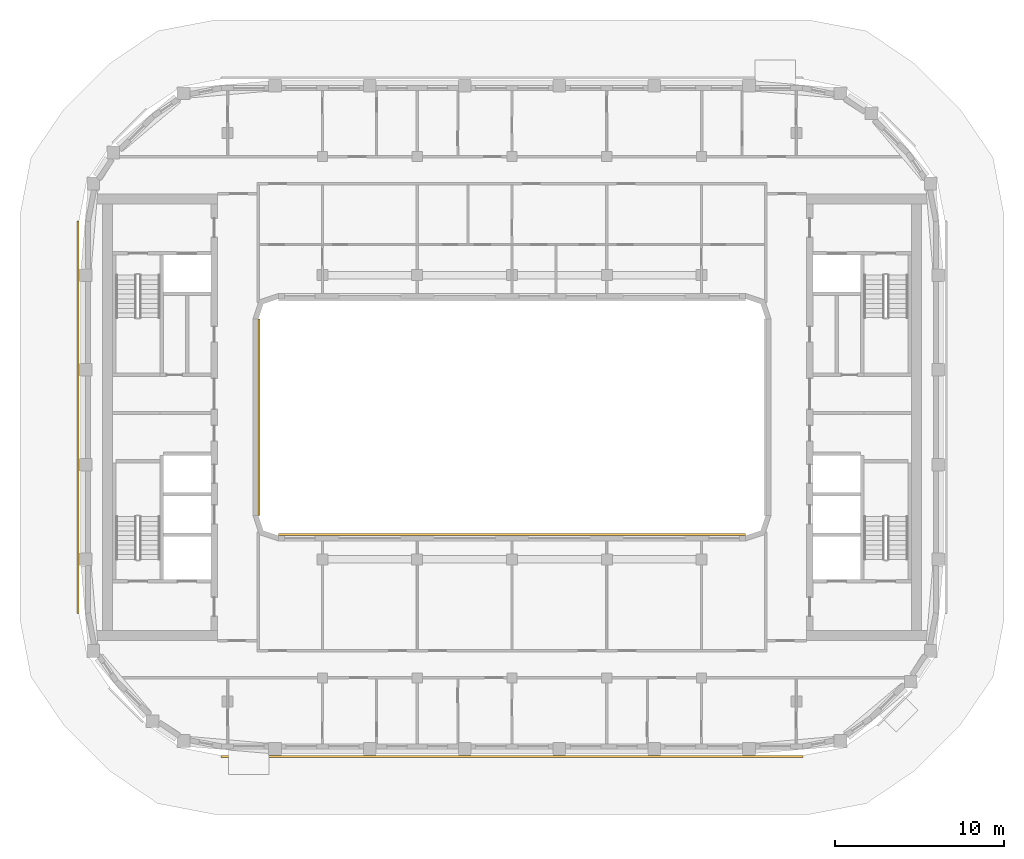
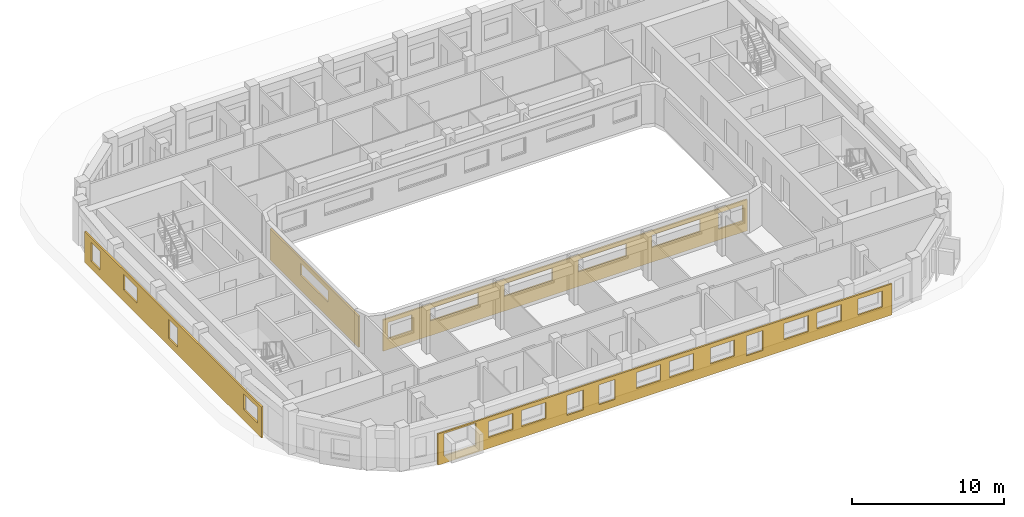
# One storey, part 10 of 14: 4 coverings.
"""IFC4 building model written with IfcOpenShell, lengths in metres."""

from ifc_helpers import new_model, si_unit, direction, frame, origin, place, context, subcontext, project, spatial, polyline, outline, extrude, material, layer, layer_set, type_object, element, save


model = new_model("IFC4")

# Units and contexts
model_context = context("Model", 3, precision=1e-05, world=origin(), true_north=direction((0.0, 1.0)))
body_context = subcontext(model_context, "Body", "Model", "MODEL_VIEW")
ifc_project = project(units=[si_unit("LENGTHUNIT", "METRE"), si_unit("AREAUNIT", "SQUARE_METRE"), si_unit("VOLUMEUNIT", "CUBIC_METRE"), si_unit("PLANEANGLEUNIT", "RADIAN"), si_unit("MASSUNIT", "GRAM", prefix="KILO")], contexts=[model_context])

# Site, building, storey
site_placement = place(None, origin())
site = spatial("IfcSite", under=ifc_project, at=site_placement, CompositionType="ELEMENT")
building_placement = place(site_placement, origin())
building = spatial("IfcBuilding", under=site, at=building_placement, Name="Kiln Ring Residences", CompositionType="ELEMENT")
storey_placement = place(building_placement, frame((0.0, 0.0, 280.199951171875)))
storey = spatial("IfcBuildingStorey", under=building, at=storey_placement, Name="L73", CompositionType="ELEMENT", Elevation=280.199951171875)

# Coverings
ifc_material = material(Name="Brick masonry, dark clay brick", Category="masonry")
ifc_layer = layer(ifc_material, 0.1201171875)
ifc_layer_set = layer_set([ifc_layer], Name="RAINSCREEN PANEL 120")
covering_type = type_object("IfcCoveringType", Name="RAINSCREEN PANEL 120", PredefinedType="CLADDING", material=ifc_layer_set)
covering_1_placement = place(storey_placement, frame((-17.199951171875, -20.034912109375, 0.0), z_axis=(0.0, 0.0, 1.0), x_axis=(1.0, 0.0, 0.0)))
element("IfcCovering", 1, at=covering_1_placement, inside=storey, type_object=covering_type, Name="RAINSCREEN L73", PredefinedType="CLADDING", context=body_context, shape_type="SweptSolid", body=[
    extrude(outline(polyline([(0.0, 0.0), (34.39990234375, 0.0), (34.39990234375, 2.5), (0.0, 2.5), (0.0, 0.0)]), holes=[polyline([(9.780029296875, 0.580078125), (11.02001953125, 0.580078125), (11.02001953125, 2.170166015625), (9.780029296875, 2.170166015625), (9.780029296875, 0.580078125)]), polyline([(12.179931640625, 2.170166015625), (12.179931640625, 0.580078125), (13.419921875, 0.580078125), (13.419921875, 2.170166015625), (12.179931640625, 2.170166015625)]), polyline([(0.429931640625, 2.3701171875), (0.429931640625, 0.580078125), (2.8701171875, 0.580078125), (2.8701171875, 2.3701171875), (0.429931640625, 2.3701171875)]), polyline([(3.830078125, 0.880126953125), (5.669921875, 0.880126953125), (5.669921875, 2.170166015625), (3.830078125, 2.170166015625), (3.830078125, 0.880126953125)]), polyline([(6.330078125, 2.170166015625), (6.330078125, 0.880126953125), (8.169921875, 0.880126953125), (8.169921875, 2.170166015625), (6.330078125, 2.170166015625)]), polyline([(15.030029296875, 2.170166015625), (15.030029296875, 0.880126953125), (16.8701171875, 0.880126953125), (16.8701171875, 2.170166015625), (15.030029296875, 2.170166015625)]), polyline([(23.3798828125, 0.580078125), (24.6201171875, 0.580078125), (24.6201171875, 2.170166015625), (23.3798828125, 2.170166015625), (23.3798828125, 0.580078125)]), polyline([(17.530029296875, 2.170166015625), (17.530029296875, 0.880126953125), (19.3701171875, 0.880126953125), (19.3701171875, 2.170166015625), (17.530029296875, 2.170166015625)]), polyline([(20.6298828125, 2.170166015625), (20.6298828125, 0.880126953125), (22.469970703125, 0.880126953125), (22.469970703125, 2.170166015625), (20.6298828125, 2.170166015625)]), polyline([(26.22998046875, 0.880126953125), (28.070068359375, 0.880126953125), (28.070068359375, 2.170166015625), (26.22998046875, 2.170166015625), (26.22998046875, 0.880126953125)]), polyline([(28.72998046875, 2.170166015625), (28.72998046875, 0.880126953125), (30.570068359375, 0.880126953125), (30.570068359375, 2.170166015625), (28.72998046875, 2.170166015625)]), polyline([(31.830078125, 2.170166015625), (31.830078125, 0.880126953125), (33.669921875, 0.880126953125), (33.669921875, 2.170166015625), (31.830078125, 2.170166015625)])]), frame((0.0, 0.06005859375, 0.0), z_axis=(0.0, -1.0, 0.0), x_axis=(1.0, 0.0, 0.0)), (0.0, 0.0, 1.0), 0.1201171875),
])
covering_2_placement = place(storey_placement, frame((-25.635009765625, 11.60009765625, 0.0), z_axis=(0.0, 0.0, 1.0), x_axis=(0.0, -1.0, 0.0)))
element("IfcCovering", 2, at=covering_2_placement, inside=storey, type_object=covering_type, Name="RAINSCREEN L73", PredefinedType="CLADDING", context=body_context, shape_type="SweptSolid", body=[
    extrude(outline(polyline([(0.0, 0.0), (23.199951171875, 0.0), (23.199951171875, 2.5), (0.0, 2.5), (0.0, 0.0)]), holes=[polyline([(2.012451171875, 0.60009765625), (2.012451171875, 2.150146484375), (0.8125, 2.150146484375), (0.8125, 0.60009765625), (2.012451171875, 0.60009765625)]), polyline([(12.199951171875, 0.60009765625), (12.199951171875, 2.150146484375), (11.0, 2.150146484375), (11.0, 0.60009765625), (12.199951171875, 0.60009765625)]), polyline([(6.89990234375, 0.900146484375), (6.89990234375, 2.150146484375), (5.10009765625, 2.150146484375), (5.10009765625, 0.900146484375), (6.89990234375, 0.900146484375)]), polyline([(22.6875, 0.900146484375), (22.6875, 2.150146484375), (20.887451171875, 2.150146484375), (20.887451171875, 0.900146484375), (22.6875, 0.900146484375)])]), frame((0.0, 0.06005859375, 0.0), z_axis=(0.0, -1.0, 0.0), x_axis=(1.0, 0.0, 0.0)), (0.0, 0.0, 1.0), 0.1201171875),
])
covering_3_placement = place(storey_placement, frame((-14.93994140625, -5.800048828125, 0.0), z_axis=(0.0, 0.0, 1.0), x_axis=(0.0, 1.0, 0.0)))
element("IfcCovering", 3, at=covering_3_placement, inside=storey, type_object=covering_type, Name="RAINSCREEN L73", PredefinedType="CLADDING", context=body_context, shape_type="SweptSolid", body=[
    extrude(outline(polyline([(0.0, 0.0), (11.60009765625, 0.0), (11.60009765625, 2.5), (0.0, 2.5), (0.0, 0.0)]), holes=[polyline([(4.0, 2.150146484375), (4.0, 1.199951171875), (7.60009765625, 1.199951171875), (7.60009765625, 2.150146484375), (4.0, 2.150146484375)])]), frame((0.0, 0.06005859375, 0.0), z_axis=(0.0, -1.0, 0.0), x_axis=(1.0, 0.0, 0.0)), (0.0, 0.0, 1.0), 0.1201171875),
])
covering_4_placement = place(storey_placement, frame((13.800048828125, -6.93994140625, 0.0), z_axis=(0.0, 0.0, 1.0), x_axis=(-1.0, 0.0, 0.0)))
element("IfcCovering", 4, at=covering_4_placement, inside=storey, type_object=covering_type, Name="RAINSCREEN L73", PredefinedType="CLADDING", context=body_context, shape_type="SweptSolid", body=[
    extrude(outline(polyline([(0.0, 0.0), (27.60009765625, 0.0), (27.60009765625, 2.5), (0.0, 2.5), (0.0, 0.0)]), holes=[polyline([(2.1826171875, 0.880126953125), (2.1826171875, 2.170166015625), (0.342529296875, 2.170166015625), (0.342529296875, 0.880126953125), (2.1826171875, 0.880126953125)]), polyline([(25.41748046875, 0.880126953125), (27.257568359375, 0.880126953125), (27.257568359375, 2.170166015625), (25.41748046875, 2.170166015625), (25.41748046875, 0.880126953125)]), polyline([(3.580078125, 1.179931640625), (7.219970703125, 1.179931640625), (7.219970703125, 2.170166015625), (3.580078125, 2.170166015625), (3.580078125, 1.179931640625)]), polyline([(12.820068359375, 1.179931640625), (12.820068359375, 2.170166015625), (9.179931640625, 2.170166015625), (9.179931640625, 1.179931640625), (12.820068359375, 1.179931640625)]), polyline([(14.780029296875, 1.179931640625), (18.419921875, 1.179931640625), (18.419921875, 2.170166015625), (14.780029296875, 2.170166015625), (14.780029296875, 1.179931640625)]), polyline([(20.3798828125, 1.179931640625), (24.02001953125, 1.179931640625), (24.02001953125, 2.170166015625), (20.3798828125, 2.170166015625), (20.3798828125, 1.179931640625)])]), frame((0.0, 0.06005859375, 0.0), z_axis=(0.0, -1.0, 0.0), x_axis=(1.0, 0.0, 0.0)), (0.0, 0.0, 1.0), 0.1201171875),
])

save(model, "model.ifc")
